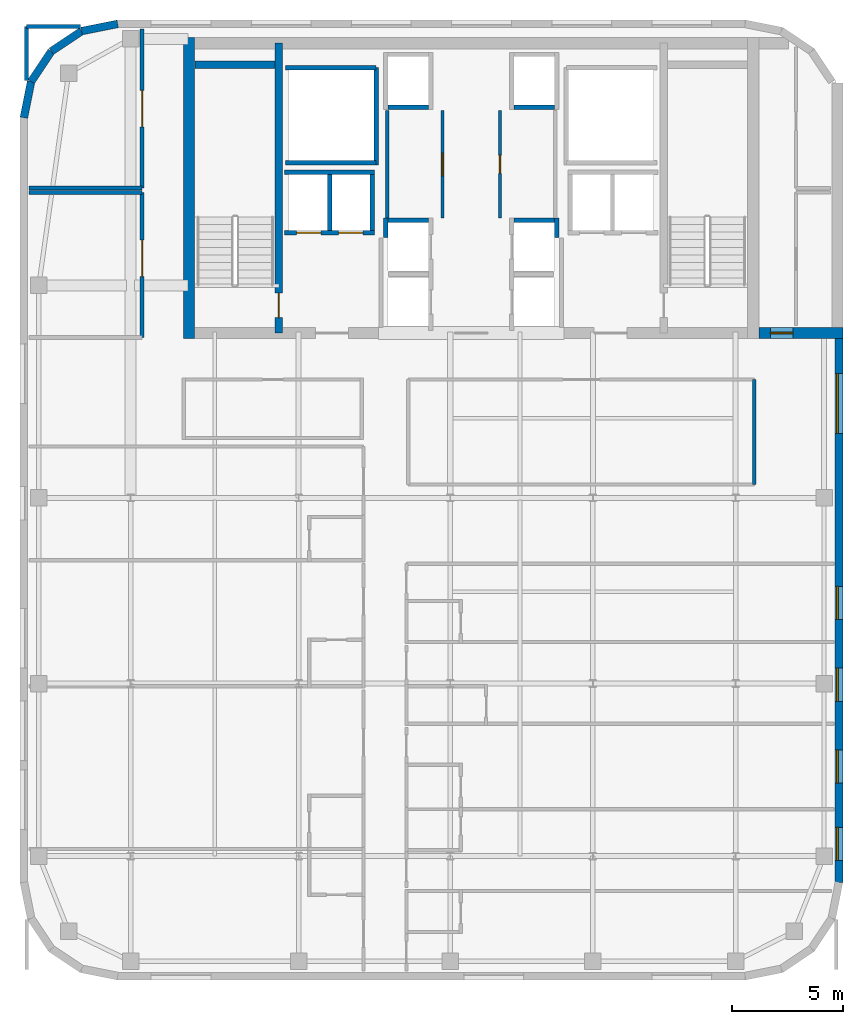
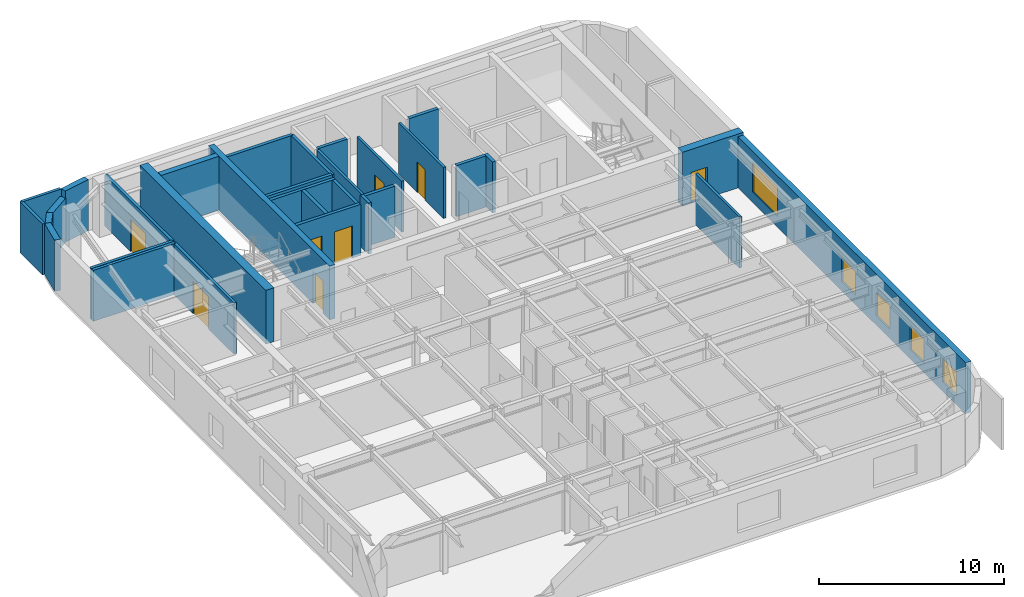
# One storey, part 6 of 9: 32 walls, 8 doors, 5 windows, 13 openings.
"""IFC4 building model written with IfcOpenShell, lengths in metres."""

import ifcopenshell
import ifcopenshell.guid

model = None  # the IFC model being written
_history = None  # IfcOwnerHistory: only IFC2X3 demands one
_inside = {}  # id of a spatial element -> (the spatial element, [elements in it])
_under = {}  # id of a project, library or spatial element -> (it, [spatial elements below it])
_declared = {}  # id of a project -> (the project, [libraries it declares])
_typed = {}  # id of a type object -> (the type object, [elements of that type])
_made_of = {}  # id of a material, layer set ... -> (it, [elements and type objects made of it])


def new_model(schema):
    """Start an empty IFC model of exactly this schema.

    Asked for "IFC4X3", IfcOpenShell would pick the latest addendum, in which some entities
    have other attributes; the version numbers below select the first issue.
    IFC2X3 requires an IfcOwnerHistory on every rooted entity: one is made here for all.
    """
    global model, _history
    if schema == "IFC4X3":
        model = ifcopenshell.file(schema_version=(4, 3, 0, 0))
    else:
        model = ifcopenshell.file(schema=schema)
    _inside.clear()
    _under.clear()
    _declared.clear()
    _typed.clear()
    _made_of.clear()
    _history = None
    if model.schema == "IFC2X3":
        org = make("IfcOrganization", Name="unknown")
        user = make(
            "IfcPersonAndOrganization",
            ThePerson=make("IfcPerson", FamilyName="unknown"),
            TheOrganization=org,
        )
        app = make(
            "IfcApplication",
            ApplicationDeveloper=org,
            Version="unknown",
            ApplicationFullName="unknown",
            ApplicationIdentifier="unknown",
        )
        _history = make(
            "IfcOwnerHistory",
            OwningUser=user,
            OwningApplication=app,
            ChangeAction="ADDED",
            CreationDate=0,
        )
    return model


def make(cls, **values):
    """One entity of the class cls with the attributes given. An attribute that is None is left unset."""
    return model.create_entity(
        cls, **{name: value for name, value in values.items() if value is not None}
    )


def rooted(cls, **values):
    """An entity with a GlobalId (a new one), such as an element, a storey or a relation."""
    return make(cls, GlobalId=ifcopenshell.guid.new(), OwnerHistory=_history, **values)


def si_unit(unit_type, name, prefix=None):
    """IfcSIUnit, for example si_unit("LENGTHUNIT", "METRE", prefix="MILLI")."""
    return make("IfcSIUnit", UnitType=unit_type, Prefix=prefix, Name=name)


def assignment(units):
    """IfcUnitAssignment: the units of a project."""
    return None if units is None else make("IfcUnitAssignment", Units=units)


def point(xyz):
    """IfcCartesianPoint."""
    return None if xyz is None else make("IfcCartesianPoint", Coordinates=xyz)


def direction(xyz):
    """IfcDirection."""
    return None if xyz is None else make("IfcDirection", DirectionRatios=xyz)


def frame(location, z_axis=None, x_axis=None):
    """IfcAxis2Placement3D, a coordinate frame: its origin and axes. An axis left out is left unset."""
    return make(
        "IfcAxis2Placement3D",
        Location=point(location),
        Axis=direction(z_axis),
        RefDirection=direction(x_axis),
    )


def frame_2d(location, x_axis=None):
    """IfcAxis2Placement2D, a coordinate frame in the plane: its origin and x axis."""
    return make(
        "IfcAxis2Placement2D", Location=point(location), RefDirection=direction(x_axis)
    )


def origin():
    """The frame at (0, 0, 0) with its axes left unset."""
    return frame((0.0, 0.0, 0.0))


def place(relative_to, where):
    """IfcLocalPlacement: puts the frame where relative to a parent placement (None: the world)."""
    return make(
        "IfcLocalPlacement", PlacementRelTo=relative_to, RelativePlacement=where
    )


def context(
    kind, dimensions, precision=None, world=None, true_north=None, identifier=None
):
    """IfcGeometricRepresentationContext, for example the 3D "Model" context."""
    return make(
        "IfcGeometricRepresentationContext",
        ContextIdentifier=identifier,
        ContextType=kind,
        CoordinateSpaceDimension=dimensions,
        Precision=precision,
        WorldCoordinateSystem=world,
        TrueNorth=true_north,
    )


def subcontext(parent, identifier, kind, view, scale=None):
    """IfcGeometricRepresentationSubContext, for example "Body" below "Model"."""
    return make(
        "IfcGeometricRepresentationSubContext",
        ContextIdentifier=identifier,
        ContextType=kind,
        ParentContext=parent,
        TargetScale=scale,
        TargetView=view,
    )


def project(units=None, contexts=None):
    """IfcProject with its units and contexts."""
    return rooted(
        "IfcProject",
        Name="project",
        RepresentationContexts=contexts,
        UnitsInContext=assignment(units),
    )


def spatial(cls, under=None, at=None, **own):
    """A site, building, storey or space (cls), placed at a placement, below another one or the project."""
    s = rooted(cls, ObjectPlacement=at, **own)
    if under is not None:
        _under.setdefault(under.id(), (under, []))[1].append(s)
    return s


def profile(cls, at=None, kind="AREA", **sizes):
    """A parametric profile (cls). Its sizes go by their IFC names, for example OverallWidth=200.0."""
    return make(cls, ProfileType=kind, Position=at, **sizes)


def rectangle(**sizes):
    """IfcRectangleProfileDef."""
    return profile("IfcRectangleProfileDef", **sizes)


def extrude(swept, where, along, depth):
    """IfcExtrudedAreaSolid: the profile swept, set in the frame where, extruded along a direction by depth."""
    return make(
        "IfcExtrudedAreaSolid",
        SweptArea=swept,
        Position=where,
        ExtrudedDirection=direction(along),
        Depth=depth,
    )


def shape(context_of_items, identifier, shape_type, items):
    """IfcShapeRepresentation: the items that make up one representation, for example the "Body"."""
    return make(
        "IfcShapeRepresentation",
        ContextOfItems=context_of_items,
        RepresentationIdentifier=identifier,
        RepresentationType=shape_type,
        Items=items,
    )


def source(mapping_origin, context_of_items, identifier, shape_type, items):
    """IfcRepresentationMap: a shape defined once, which mapped items show again and again."""
    return make(
        "IfcRepresentationMap",
        MappingOrigin=mapping_origin,
        MappedRepresentation=shape(context_of_items, identifier, shape_type, items),
    )


def transform(
    local_origin,
    x_axis=None,
    y_axis=None,
    z_axis=None,
    scale=None,
    scale2=None,
    scale3=None,
    uniform=True,
):
    """IfcCartesianTransformationOperator3D, or its non-uniform kind. x_axis, y_axis, z_axis: its Axis1, 2, 3."""
    if uniform:
        return make(
            "IfcCartesianTransformationOperator3D",
            Axis1=direction(x_axis),
            Axis2=direction(y_axis),
            LocalOrigin=point(local_origin),
            Scale=scale,
            Axis3=direction(z_axis),
        )
    return make(
        "IfcCartesianTransformationOperator3DnonUniform",
        Axis1=direction(x_axis),
        Axis2=direction(y_axis),
        LocalOrigin=point(local_origin),
        Scale=scale,
        Axis3=direction(z_axis),
        Scale2=scale2,
        Scale3=scale3,
    )


def mapped(mapping_source, mapping_target):
    """IfcMappedItem: shows the shape of a source again, moved by a transform."""
    return make(
        "IfcMappedItem", MappingSource=mapping_source, MappingTarget=mapping_target
    )


def material(Name=None, Category=None):
    """IfcMaterial."""
    return make("IfcMaterial", Name=Name, Category=Category)


def layer(
    of_material, thickness, ventilated=None, Name=None, Category=None, Priority=None
):
    """IfcMaterialLayer: one layer of a wall or slab, of a material (None: an air gap)."""
    return make(
        "IfcMaterialLayer",
        Material=of_material,
        LayerThickness=thickness,
        IsVentilated=ventilated,
        Name=Name,
        Category=Category,
        Priority=Priority,
    )


def layer_set(layers, Name=None):
    """IfcMaterialLayerSet."""
    return make("IfcMaterialLayerSet", MaterialLayers=layers, LayerSetName=Name)


def made_of(thing, what):
    """Note that an element or type object is made of a material, layer set ...; save() writes the relation."""
    if what is not None:
        _made_of.setdefault(what.id(), (what, []))[1].append(thing)
    return thing


def type_object(cls, material=None, **own):
    """A type object (cls), such as IfcWallType, which elements share."""
    return made_of(rooted(cls, **own), material)


def type_shapes(of_type, sources):
    """Give a type object the sources (RepresentationMaps) that its elements show as mapped items."""
    of_type.RepresentationMaps = sources


def element(
    cls,
    number,
    at=None,
    inside=None,
    cuts=None,
    type_object=None,
    material=None,
    context=None,
    identifier="Body",
    shape_type=None,
    held_by="IfcProductDefinitionShape",
    body=None,
    shapes=None,
    **own,
):
    """One element of the class cls, such as IfcWall. Its Tag is "e" and its number.

    at: its placement. inside: the storey or other place that contains it. cuts: it is an
    opening in that element (IfcRelVoidsElement). A single representation is given by context,
    identifier, shape_type and body (its items); several are given by shapes. held_by: the class
    of the entity that holds the representations. save() writes the other relations.
    """
    e = rooted(cls, Tag="e%d" % number, ObjectPlacement=at, **own)
    if body is not None:
        shapes = [shape(context, identifier, shape_type, body)]
    if shapes is not None:
        e.Representation = make(held_by, Representations=shapes)
    if inside is not None:
        _inside.setdefault(inside.id(), (inside, []))[1].append(e)
    if cuts is not None:
        rooted(
            "IfcRelVoidsElement", RelatingBuildingElement=cuts, RelatedOpeningElement=e
        )
    if type_object is not None:
        _typed.setdefault(type_object.id(), (type_object, []))[1].append(e)
    return made_of(e, material)


def fill(opening, filler):
    """IfcRelFillsElement: the door or window that sits in an opening."""
    return rooted(
        "IfcRelFillsElement",
        RelatingOpeningElement=opening,
        RelatedBuildingElement=filler,
    )


def aggregate(whole, parts):
    """IfcRelAggregates: a whole, such as a stair, and the parts it consists of."""
    return rooted("IfcRelAggregates", RelatingObject=whole, RelatedObjects=parts)


def save(model, path):
    """Write the relations noted so far, then the file.

    IfcRelAggregates (storeys below a building ...), IfcRelContainedInSpatialStructure (elements
    in a storey), IfcRelDefinesByType, IfcRelAssociatesMaterial and IfcRelDeclares: one each for
    every whole, place, type object, material and project.
    """
    for whole, parts in _under.values():
        aggregate(whole, parts)
    for where, things in _inside.values():
        rooted(
            "IfcRelContainedInSpatialStructure",
            RelatedElements=things,
            RelatingStructure=where,
        )
    for kind, things in _typed.values():
        rooted("IfcRelDefinesByType", RelatedObjects=things, RelatingType=kind)
    for what, things in _made_of.values():
        rooted("IfcRelAssociatesMaterial", RelatedObjects=things, RelatingMaterial=what)
    for by, libraries in _declared.values():
        rooted("IfcRelDeclares", RelatingContext=by, RelatedDefinitions=libraries)
    model.write(path)


model = new_model("IFC4")

# Units and contexts
model_context = context("Model", 3, precision=1e-05, world=origin(), true_north=direction((0.0, 1.0)))
body_context = subcontext(model_context, "Body", "Model", "MODEL_VIEW")
ifc_project = project(units=[si_unit("LENGTHUNIT", "METRE"), si_unit("AREAUNIT", "SQUARE_METRE"), si_unit("VOLUMEUNIT", "CUBIC_METRE"), si_unit("PLANEANGLEUNIT", "RADIAN"), si_unit("MASSUNIT", "GRAM", prefix="KILO")], contexts=[model_context])

# Site, building, storey
site_placement = place(None, origin())
site = spatial("IfcSite", under=ifc_project, at=site_placement, CompositionType="ELEMENT")
building_placement = place(site_placement, origin())
building = spatial("IfcBuilding", under=site, at=building_placement, Name="Tolvann Quenvar Hotel", CompositionType="ELEMENT")
storey_placement = place(building_placement, frame((0.0, 0.0, 216.800048828125)))
storey = spatial("IfcBuildingStorey", under=building, at=storey_placement, Name="L57", CompositionType="ELEMENT", Elevation=216.800048828125)

# Wall
ifc_material_1 = material(Name="Concrete N50 (50 MPa)", Category="concrete")
ifc_layer_1 = layer(ifc_material_1, 0.5)
ifc_layer_set_1 = layer_set([ifc_layer_1], Name="Concrete N50 (50 MPa)")
wall_type_1 = type_object("IfcWallType", Name="WALL_CORE_500", PredefinedType="SHEAR", material=ifc_layer_set_1)
wall_1_placement = place(storey_placement, frame((10.25, 31.60009765625, 0.0), z_axis=(0.0, 0.0, 1.0), x_axis=(0.0, 1.0, 0.0)))
element("IfcWall", 1, at=wall_1_placement, inside=storey, type_object=wall_type_1, Name="Rear Core W Shear Wall (L57)", PredefinedType="SHEAR", context=body_context, shape_type="SweptSolid", body=[
    extrude(rectangle(XDim=13.599853515625, YDim=0.5, at=frame_2d((6.7998046875, 0.0))), origin(), (0.0, 0.0, 1.0), 3.550048828125),
])

# Wall, opening, door
wall_2_placement = place(storey_placement, frame((36.0, 31.85009765625, 0.0), z_axis=(0.0, 0.0, 1.0), x_axis=(1.0, 0.0, 0.0)))
wall_2 = element("IfcWall", 2, at=wall_2_placement, inside=storey, type_object=wall_type_1, Name="Core East Annex Shear Wall ANN-S (L57)", PredefinedType="SHEAR", context=body_context, shape_type="SweptSolid", body=[
    extrude(rectangle(XDim=3.800048828125, YDim=0.5, at=frame_2d((1.89990234375, 0.0))), origin(), (0.0, 0.0, 1.0), 3.550048828125),
])
opening_1_placement = place(wall_2_placement, frame((1.5400390625, 0.0, 0.0), z_axis=(0.0, 0.0, 1.0), x_axis=(-1.0, 0.0, 0.0)))
opening_1 = element("IfcOpeningElement", 3, at=opening_1_placement, cuts=wall_2, Name="Opening HD-01", PredefinedType="OPENING", context=body_context, shape_type="SweptSolid", body=[
    extrude(rectangle(XDim=1.02001953125, YDim=2.030029296875, at=frame_2d((0.510009765625, 1.01513671875))), frame((0.0, 0.260009765625, 0.0), z_axis=(0.0, -1.0, 0.0), x_axis=(1.0, 0.0, 0.0)), (0.0, 0.0, 1.0), 0.52001953125),
])
ifc_material_2 = material(Name="Pressed galvanised steel fire-rated door set", Category="steel")
door_type_1 = type_object("IfcDoorType", Name="DOOR_BOH_1020", OperationType="NOTDEFINED", PredefinedType="DOOR", material=ifc_material_2)
shared_shape_1 = source(origin(), body_context, "Body", "SweptSolid", [
    extrude(rectangle(XDim=1.02001953125, YDim=2.030029296875, at=frame_2d((0.510009765625, 1.01513671875))), frame((0.0, 0.02490234375, 0.0), z_axis=(0.0, -1.0, 0.0), x_axis=(1.0, 0.0, 0.0)), (0.0, 0.0, 1.0), 0.050048828125),
])
type_shapes(door_type_1, [shared_shape_1])
door_1_placement = place(opening_1_placement, origin())
door_1 = element("IfcDoor", 4, at=door_1_placement, inside=storey, type_object=door_type_1, Name="Housekeeping Annex Fire Door (L57)", OperationType="SINGLE_SWING_RIGHT", OverallHeight=2.030029296875, OverallWidth=1.02001953125, PredefinedType="DOOR", context=body_context, shape_type="MappedRepresentation", body=[
    mapped(shared_shape_1, transform((0.0, 0.0, 0.0), x_axis=(1.0, 0.0, 0.0), y_axis=(0.0, 1.0, 0.0), z_axis=(0.0, 0.0, 1.0), scale=1.0)),
])
fill(opening_1, door_1)

ifc_material_3 = material(Name="Concrete S65 (65 MPa)", Category="concrete")
ifc_layer_2 = layer(ifc_material_3, 0.35009765625)
ifc_layer_set_2 = layer_set([ifc_layer_2], Name="Concrete S65 (65 MPa)")
wall_type_2 = type_object("IfcWallType", Name="WALL_CORE_INT_350", PredefinedType="SHEAR", material=ifc_layer_set_2)
wall_3_placement = place(storey_placement, frame((14.300048828125, 31.85009765625, 0.0), z_axis=(0.0, 0.0, 1.0), x_axis=(0.0, 1.0, 0.0)))
wall_3 = element("IfcWall", 5, at=wall_3_placement, inside=storey, type_object=wall_type_2, Name="Core Internal Web Shear Wall WEB-W (L57)", PredefinedType="SHEAR", context=body_context, shape_type="SweptSolid", body=[
    extrude(rectangle(XDim=13.099853515625, YDim=0.35009765625, at=frame_2d((6.5498046875, 0.0))), origin(), (0.0, 0.0, 1.0), 3.550048828125),
])
opening_2_placement = place(wall_3_placement, frame((0.699951171875, 0.0, 0.0)))
opening_2 = element("IfcOpeningElement", 6, at=opening_2_placement, cuts=wall_3, Name="Opening FD-120", PredefinedType="OPENING", context=body_context, shape_type="SweptSolid", body=[
    extrude(rectangle(XDim=1.10009765625, YDim=2.1201171875, at=frame_2d((0.550048828125, 1.06005859375))), frame((0.0, 0.18505859375, 0.0), z_axis=(0.0, -1.0, 0.0), x_axis=(1.0, 0.0, 0.0)), (0.0, 0.0, 1.0), 0.3701171875),
])
door_type_2 = type_object("IfcDoorType", Name="DOOR_FIRE_STAIR_1100", OperationType="NOTDEFINED", PredefinedType="DOOR", material=ifc_material_2)
shared_shape_2 = source(origin(), body_context, "Body", "SweptSolid", [
    extrude(rectangle(XDim=1.10009765625, YDim=2.1201171875, at=frame_2d((0.550048828125, 1.06005859375))), frame((0.0, 0.02490234375, 0.0), z_axis=(0.0, -1.0, 0.0), x_axis=(1.0, 0.0, 0.0)), (0.0, 0.0, 1.0), 0.050048828125),
])
type_shapes(door_type_2, [shared_shape_2])
door_2_placement = place(opening_2_placement, origin())
door_2 = element("IfcDoor", 7, at=door_2_placement, inside=storey, type_object=door_type_2, Name="Exit Stair ST-C1 Fire Door (L57)", OperationType="SINGLE_SWING_RIGHT", OverallHeight=2.1201171875, OverallWidth=1.10009765625, PredefinedType="DOOR", context=body_context, shape_type="MappedRepresentation", body=[
    mapped(shared_shape_2, transform((0.0, 0.0, 0.0), x_axis=(1.0, 0.0, 0.0), y_axis=(0.0, 1.0, 0.0), z_axis=(0.0, 0.0, 1.0), scale=1.0)),
])
fill(opening_2, door_2)

# Wall
wall_4_placement = place(storey_placement, frame((10.52001953125, 43.97509765625, 0.0), z_axis=(0.0, 0.0, 1.0), x_axis=(1.0, 0.0, 0.0)))
element("IfcWall", 8, at=wall_4_placement, inside=storey, type_object=wall_type_2, Name="Core Stair North Closing Shear Wall STC1-N (L57)", PredefinedType="SHEAR", context=body_context, shape_type="SweptSolid", body=[
    extrude(rectangle(XDim=3.60009765625, YDim=0.35009765625, at=frame_2d((1.800048828125, 0.0))), origin(), (0.0, 0.0, 1.0), 3.550048828125),
])

# Wall, openings, windows
ifc_material_4 = material(Name="Kiln-fired red and buff architectural clay brickwork and terracotta masonry", Category="masonry")
ifc_layer_3 = layer(ifc_material_4, 0.35009765625)
ifc_layer_set_3 = layer_set([ifc_layer_3], Name="Kiln-fired red and buff architectural clay brickwork and terracotta masonry")
wall_type_3 = type_object("IfcWallType", Name="WALL_EXT_BRICK_350", PredefinedType="SOLIDWALL", material=ifc_layer_set_3)
wall_5_placement = place(storey_placement, frame((39.625, 7.01708984375, 0.0), z_axis=(0.0, 0.0, 1.0), x_axis=(0.0, 1.0, 0.0)))
wall_5 = element("IfcWall", 9, at=wall_5_placement, inside=storey, type_object=wall_type_3, Name="Exterior Chicago Brick Wall L57-E09", PredefinedType="SOLIDWALL", context=body_context, shape_type="SweptSolid", body=[
    extrude(rectangle(XDim=24.578857421875, YDim=0.35009765625, at=frame_2d((12.28955078125, 0.0))), origin(), (0.0, 0.0, 1.0), 3.369873046875),
])
opening_3_placement = place(wall_5_placement, frame((20.291015625, 0.0, 0.679931640625)))
opening_3 = element("IfcOpeningElement", 10, at=opening_3_placement, cuts=wall_5, Name="Opening W-04", PredefinedType="OPENING", context=body_context, shape_type="SweptSolid", body=[
    extrude(rectangle(XDim=2.699951171875, YDim=1.949951171875, at=frame_2d((1.35009765625, 0.97509765625))), frame((0.0, 0.18505859375, 0.0), z_axis=(0.0, -1.0, 0.0), x_axis=(1.0, 0.0, 0.0)), (0.0, 0.0, 1.0), 0.3701171875),
])
opening_4_placement = place(wall_5_placement, frame((0.986083984375, 0.0, 0.6201171875)))
opening_4 = element("IfcOpeningElement", 11, at=opening_4_placement, cuts=wall_5, Name="Opening W-08", PredefinedType="OPENING", context=body_context, shape_type="SweptSolid", body=[
    extrude(rectangle(XDim=1.5, YDim=1.550048828125, at=frame_2d((0.75, 0.77490234375))), frame((0.0, 0.18505859375, 0.0), z_axis=(0.0, -1.0, 0.0), x_axis=(1.0, 0.0, 0.0)), (0.0, 0.0, 1.0), 0.3701171875),
])
opening_5_placement = place(wall_5_placement, frame((4.48291015625, 0.0, 0.6201171875)))
opening_5 = element("IfcOpeningElement", 12, at=opening_5_placement, cuts=wall_5, Name="Opening W-08", PredefinedType="OPENING", context=body_context, shape_type="SweptSolid", body=[
    extrude(rectangle(XDim=1.5, YDim=1.550048828125, at=frame_2d((0.75, 0.77490234375))), frame((0.0, 0.18505859375, 0.0), z_axis=(0.0, -1.0, 0.0), x_axis=(1.0, 0.0, 0.0)), (0.0, 0.0, 1.0), 0.3701171875),
])
opening_6_placement = place(wall_5_placement, frame((8.18310546875, 0.0, 0.6201171875)))
opening_6 = element("IfcOpeningElement", 13, at=opening_6_placement, cuts=wall_5, Name="Opening W-08", PredefinedType="OPENING", context=body_context, shape_type="SweptSolid", body=[
    extrude(rectangle(XDim=1.5, YDim=1.550048828125, at=frame_2d((0.75, 0.77490234375))), frame((0.0, 0.18505859375, 0.0), z_axis=(0.0, -1.0, 0.0), x_axis=(1.0, 0.0, 0.0)), (0.0, 0.0, 1.0), 0.3701171875),
])
opening_7_placement = place(wall_5_placement, frame((11.883056640625, 0.0, 0.6201171875)))
opening_7 = element("IfcOpeningElement", 14, at=opening_7_placement, cuts=wall_5, Name="Opening W-08", PredefinedType="OPENING", context=body_context, shape_type="SweptSolid", body=[
    extrude(rectangle(XDim=1.5, YDim=1.550048828125, at=frame_2d((0.75, 0.77490234375))), frame((0.0, 0.18505859375, 0.0), z_axis=(0.0, -1.0, 0.0), x_axis=(1.0, 0.0, 0.0)), (0.0, 0.0, 1.0), 0.3701171875),
])
ifc_material_5 = material(Name="Thermally broken bronze-anodised aluminium frame with double low-E glazing", Category="aluminium")
window_type_1 = type_object("IfcWindowType", Name="WIN_COR_1500x2050", PartitioningType="SINGLE_PANEL", PredefinedType="WINDOW", material=ifc_material_5)
shared_shape_3 = source(origin(), body_context, "Body", "SweptSolid", [
    extrude(rectangle(XDim=1.5, YDim=1.550048828125, at=frame_2d((0.75, 0.77490234375))), frame((0.0, 0.090087890625, 0.0), z_axis=(0.0, -1.0, 0.0), x_axis=(1.0, 0.0, 0.0)), (0.0, 0.0, 1.0), 0.06005859375),
])
type_shapes(window_type_1, [shared_shape_3])
window_1_placement = place(opening_4_placement, origin())
window_1 = element("IfcWindow", 15, at=window_1_placement, inside=storey, type_object=window_type_1, Name="Chicago Window W-08 (EW-L57-E09-WD02)", OverallHeight=1.550048828125, OverallWidth=1.5, PartitioningType="SINGLE_PANEL", PredefinedType="WINDOW", context=body_context, shape_type="MappedRepresentation", body=[
    mapped(shared_shape_3, transform((0.0, 0.0, 0.0), x_axis=(1.0, 0.0, 0.0), y_axis=(0.0, 1.0, 0.0), z_axis=(0.0, 0.0, 1.0), scale=1.0)),
])
fill(opening_4, window_1)
window_2_placement = place(opening_5_placement, origin())
window_2 = element("IfcWindow", 16, at=window_2_placement, inside=storey, type_object=window_type_1, Name="Chicago Window W-08 (EW-L57-E09-WD03)", OverallHeight=1.550048828125, OverallWidth=1.5, PartitioningType="SINGLE_PANEL", PredefinedType="WINDOW", context=body_context, shape_type="MappedRepresentation", body=[
    mapped(shared_shape_3, transform((0.0, 0.0, 0.0), x_axis=(1.0, 0.0, 0.0), y_axis=(0.0, 1.0, 0.0), z_axis=(0.0, 0.0, 1.0), scale=1.0)),
])
fill(opening_5, window_2)
window_3_placement = place(opening_6_placement, origin())
window_3 = element("IfcWindow", 17, at=window_3_placement, inside=storey, type_object=window_type_1, Name="Chicago Window W-08 (EW-L57-E09-WD04)", OverallHeight=1.550048828125, OverallWidth=1.5, PartitioningType="SINGLE_PANEL", PredefinedType="WINDOW", context=body_context, shape_type="MappedRepresentation", body=[
    mapped(shared_shape_3, transform((0.0, 0.0, 0.0), x_axis=(1.0, 0.0, 0.0), y_axis=(0.0, 1.0, 0.0), z_axis=(0.0, 0.0, 1.0), scale=1.0)),
])
fill(opening_6, window_3)
window_4_placement = place(opening_7_placement, origin())
window_4 = element("IfcWindow", 18, at=window_4_placement, inside=storey, type_object=window_type_1, Name="Chicago Window W-08 (EW-L57-E09-WD05)", OverallHeight=1.550048828125, OverallWidth=1.5, PartitioningType="SINGLE_PANEL", PredefinedType="WINDOW", context=body_context, shape_type="MappedRepresentation", body=[
    mapped(shared_shape_3, transform((0.0, 0.0, 0.0), x_axis=(1.0, 0.0, 0.0), y_axis=(0.0, 1.0, 0.0), z_axis=(0.0, 0.0, 1.0), scale=1.0)),
])
fill(opening_7, window_4)
window_type_2 = type_object("IfcWindowType", Name="WIN_STE_2700x2150", PartitioningType="TRIPLE_PANEL_HORIZONTAL", PredefinedType="WINDOW", material=ifc_material_5)
shared_shape_4 = source(origin(), body_context, "Body", "SweptSolid", [
    extrude(rectangle(XDim=2.699951171875, YDim=1.949951171875, at=frame_2d((1.35009765625, 0.97509765625))), frame((0.0, 0.090087890625, 0.0), z_axis=(0.0, -1.0, 0.0), x_axis=(1.0, 0.0, 0.0)), (0.0, 0.0, 1.0), 0.06005859375),
])
type_shapes(window_type_2, [shared_shape_4])
window_5_placement = place(opening_3_placement, origin())
window_5 = element("IfcWindow", 19, at=window_5_placement, inside=storey, type_object=window_type_2, Name="Chicago Window W-04 (EW-L57-E09-W01)", OverallHeight=1.949951171875, OverallWidth=2.699951171875, PartitioningType="TRIPLE_PANEL_HORIZONTAL", PredefinedType="WINDOW", context=body_context, shape_type="MappedRepresentation", body=[
    mapped(shared_shape_4, transform((0.0, 0.0, 0.0), x_axis=(1.0, 0.0, 0.0), y_axis=(0.0, 1.0, 0.0), z_axis=(0.0, 0.0, 1.0), scale=1.0)),
])
fill(opening_3, window_5)

# Walls
wall_6_placement = place(storey_placement, frame((7.01708984375, 45.824951171875, 0.0), z_axis=(0.0, 0.0, 1.0), x_axis=(-0.980788844421, -0.195072403631, 0.0)))
element("IfcWall", 20, at=wall_6_placement, inside=storey, type_object=wall_type_3, Name="Exterior Chicago Brick Wall L57-E15", PredefinedType="SOLIDWALL", context=body_context, shape_type="SweptSolid", body=[
    extrude(rectangle(XDim=1.66455078125, YDim=0.35009765625, at=frame_2d((0.832275390625, 0.0))), origin(), (0.0, 0.0, 1.0), 3.369873046875),
])
for number, where, z_axis, x_axis, name in (
    (21, (5.384521484375, 45.500244140625, 0.0), (0.0, 0.0, 1.0), (-0.831502623162, -0.555520825599, 0.0), "Exterior Chicago Brick Wall L57-E16"),
    (22, (4.014892578125, 44.585205078125, 0.0), (0.0, 0.0, 1.0), (-0.555623290322, -0.831434158098, 0.0), "Exterior Chicago Brick Wall L57-E17"),
):
    element("IfcWall", number, at=place(storey_placement, frame(where, z_axis=z_axis, x_axis=x_axis)), inside=storey, type_object=wall_type_3, Name=name, PredefinedType="SOLIDWALL", context=body_context, shape_type="SweptSolid", body=[
        extrude(rectangle(XDim=1.647216796875, YDim=0.35009765625, at=frame_2d((0.82373046875, 0.0))), origin(), (0.0, 0.0, 1.0), 2.89990234375),
    ])
wall_7_placement = place(storey_placement, frame((3.099609375, 43.215576171875, 0.0), z_axis=(0.0, 0.0, 1.0), x_axis=(-0.195044345786, -0.980794424524, 0.0)))
element("IfcWall", 23, at=wall_7_placement, inside=storey, type_object=wall_type_3, Name="Exterior Chicago Brick Wall L57-E18", PredefinedType="SOLIDWALL", context=body_context, shape_type="SweptSolid", body=[
    extrude(rectangle(XDim=1.664794921875, YDim=0.35009765625, at=frame_2d((0.83251953125, 0.0))), origin(), (0.0, 0.0, 1.0), 3.369873046875),
])
ifc_material_6 = material(Name="Acoustic twin-stud fire-rated gypsum plasterboard partition")
ifc_layer_4 = layer(ifc_material_6, 0.179931640625)
ifc_layer_set_4 = layer_set([ifc_layer_4], Name="Acoustic twin-stud fire-rated gypsum plasterboard partition")
wall_type_4 = type_object("IfcWallType", Name="WALL_PART_ACOUSTIC_180", PredefinedType="PARTITIONING", material=ifc_layer_set_4)
wall_8_placement = place(storey_placement, frame((3.0048828125, 38.199951171875, 0.0), z_axis=(0.0, 0.0, 1.0), x_axis=(1.0, 0.0, 0.0)))
element("IfcWall", 24, at=wall_8_placement, inside=storey, type_object=wall_type_4, Name="Interior Partition PT-SPC-L57-SAL-N", PredefinedType="PARTITIONING", context=body_context, shape_type="SweptSolid", body=[
    extrude(rectangle(XDim=5.115234375, YDim=0.179931640625, at=frame_2d((2.5576171875, 0.0))), origin(), (0.0, 0.0, 1.0), 3.369873046875),
])

# Wall, opening, door
wall_9_placement = place(storey_placement, frame((8.1201171875, 31.64990234375, 0.0), z_axis=(0.0, 0.0, 1.0), x_axis=(0.0, 1.0, 0.0)))
wall_9 = element("IfcWall", 25, at=wall_9_placement, inside=storey, type_object=wall_type_4, Name="Interior Partition PT-SPC-L57-SAL-E", PredefinedType="PARTITIONING", context=body_context, shape_type="SweptSolid", body=[
    extrude(rectangle(XDim=6.550048828125, YDim=0.179931640625, at=frame_2d((3.27490234375, 0.0))), origin(), (0.0, 0.0, 1.0), 3.369873046875),
])
opening_8_placement = place(wall_9_placement, frame((2.75, 0.0, 0.0)))
opening_8 = element("IfcOpeningElement", 26, at=opening_8_placement, cuts=wall_9, Name="Opening AD-01", PredefinedType="OPENING", context=body_context, shape_type="SweptSolid", body=[
    extrude(rectangle(XDim=1.64990234375, YDim=2.14990234375, at=frame_2d((0.824951171875, 1.074951171875))), frame((0.0, 0.10009765625, 0.0), z_axis=(0.0, -1.0, 0.0), x_axis=(1.0, 0.0, 0.0)), (0.0, 0.0, 1.0), 0.199951171875),
])
ifc_material_7 = material(Name="Solid-core American oak acoustic fire door leaf in steel frame", Category="steel")
door_type_3 = type_object("IfcDoorType", Name="DOOR_SALON_1650", OperationType="NOTDEFINED", PredefinedType="DOOR", material=ifc_material_7)
shared_shape_5 = source(origin(), body_context, "Body", "SweptSolid", [
    extrude(rectangle(XDim=1.64990234375, YDim=2.14990234375, at=frame_2d((0.824951171875, 1.074951171875))), frame((0.0, 0.02490234375, 0.0), z_axis=(0.0, -1.0, 0.0), x_axis=(1.0, 0.0, 0.0)), (0.0, 0.0, 1.0), 0.050048828125),
])
type_shapes(door_type_3, [shared_shape_5])
door_3_placement = place(opening_8_placement, origin())
door_3 = element("IfcDoor", 27, at=door_3_placement, inside=storey, type_object=door_type_3, Name="Interior Door DOOR-SPC-L57-SAL", OperationType="DOUBLE_DOOR_SINGLE_SWING", OverallHeight=2.14990234375, OverallWidth=1.64990234375, PredefinedType="DOOR", context=body_context, shape_type="MappedRepresentation", body=[
    mapped(shared_shape_5, transform((0.0, 0.0, 0.0), x_axis=(1.0, 0.0, 0.0), y_axis=(0.0, 1.0, 0.0), z_axis=(0.0, 0.0, 1.0), scale=1.0)),
])
fill(opening_8, door_3)

# Walls
wall_10_placement = place(storey_placement, frame((3.0048828125, 38.39990234375, 0.0), z_axis=(0.0, 0.0, 1.0), x_axis=(1.0, 0.0, 0.0)))
element("IfcWall", 28, at=wall_10_placement, inside=storey, type_object=wall_type_4, Name="Interior Partition PT-SPC-L57-STD-S", PredefinedType="PARTITIONING", context=body_context, shape_type="SweptSolid", body=[
    extrude(rectangle(XDim=5.115234375, YDim=0.179931640625, at=frame_2d((2.5576171875, 0.0))), origin(), (0.0, 0.0, 1.0), 3.369873046875),
])
for number, where, z_axis, x_axis, name in (
    (29, (2.89990234375, 45.699951171875, 0.0), (0.0, 0.0, 1.0), (1.0, 0.0, 0.0), "Interior Partition PT-SPC-L57-STD-N"),
    (30, (2.89990234375, 43.2548828125, 0.0), (0.0, 0.0, 1.0), (0.0, 1.0, 0.0), "Interior Partition PT-SPC-L57-STD-W"),
):
    element("IfcWall", number, at=place(storey_placement, frame(where, z_axis=z_axis, x_axis=x_axis)), inside=storey, type_object=wall_type_4, Name=name, PredefinedType="PARTITIONING", context=body_context, shape_type="SweptSolid", body=[
        extrude(rectangle(XDim=2.445068359375, YDim=0.179931640625, at=frame_2d((1.22265625, 0.0))), origin(), (0.0, 0.0, 1.0), 3.369873046875),
    ])

# Wall, opening, door
wall_11_placement = place(storey_placement, frame((8.1201171875, 38.39990234375, 0.0), z_axis=(0.0, 0.0, 1.0), x_axis=(0.0, 1.0, 0.0)))
wall_11 = element("IfcWall", 31, at=wall_11_placement, inside=storey, type_object=wall_type_4, Name="Interior Partition PT-SPC-L57-STD-E", PredefinedType="PARTITIONING", context=body_context, shape_type="SweptSolid", body=[
    extrude(rectangle(XDim=7.195068359375, YDim=0.179931640625, at=frame_2d((3.59765625, 0.0))), origin(), (0.0, 0.0, 1.0), 3.369873046875),
])
opening_9_placement = place(wall_11_placement, frame((2.7724609375, 0.0, 0.0)))
opening_9 = element("IfcOpeningElement", 32, at=opening_9_placement, cuts=wall_11, Name="Opening AD-01", PredefinedType="OPENING", context=body_context, shape_type="SweptSolid", body=[
    extrude(rectangle(XDim=1.64990234375, YDim=2.14990234375, at=frame_2d((0.824951171875, 1.074951171875))), frame((0.0, 0.10009765625, 0.0), z_axis=(0.0, -1.0, 0.0), x_axis=(1.0, 0.0, 0.0)), (0.0, 0.0, 1.0), 0.199951171875),
])
door_4_placement = place(opening_9_placement, origin())
door_4 = element("IfcDoor", 33, at=door_4_placement, inside=storey, type_object=door_type_3, Name="Interior Door DOOR-SPC-L57-STD", OperationType="DOUBLE_DOOR_SINGLE_SWING", OverallHeight=2.14990234375, OverallWidth=1.64990234375, PredefinedType="DOOR", context=body_context, shape_type="MappedRepresentation", body=[
    mapped(shared_shape_5, transform((0.0, 0.0, 0.0), x_axis=(1.0, 0.0, 0.0), y_axis=(0.0, 1.0, 0.0), z_axis=(0.0, 0.0, 1.0), scale=1.0)),
])
fill(opening_9, door_4)

ifc_layer_5 = layer(ifc_material_6, 0.14990234375)
ifc_layer_set_5 = layer_set([ifc_layer_5], Name="Acoustic twin-stud fire-rated gypsum plasterboard partition")
wall_type_5 = type_object("IfcWallType", Name="WALL_PART_SUITE_150", PredefinedType="PARTITIONING", material=ifc_layer_set_5)
wall_12_placement = place(storey_placement, frame((21.699951171875, 37.050048828125, 0.0), z_axis=(0.0, 0.0, 1.0), x_axis=(0.0, 1.0, 0.0)))
wall_12 = element("IfcWall", 34, at=wall_12_placement, inside=storey, type_object=wall_type_5, Name="Interior Partition PT-SPC-L57-RECPM-1-ENT", PredefinedType="PARTITIONING", context=body_context, shape_type="SweptSolid", body=[
    extrude(rectangle(XDim=4.849853515625, YDim=0.14990234375, at=frame_2d((2.4248046875, 0.0))), origin(), (0.0, 0.0, 1.0), 3.369873046875),
])
opening_10_placement = place(wall_12_placement, frame((1.9150390625, 0.0, 0.0)))
opening_10 = element("IfcOpeningElement", 35, at=opening_10_placement, cuts=wall_12, Name="Opening HD-01", PredefinedType="OPENING", context=body_context, shape_type="SweptSolid", body=[
    extrude(rectangle(XDim=1.02001953125, YDim=2.030029296875, at=frame_2d((0.510009765625, 1.01513671875))), frame((0.0, 0.0849609375, 0.0), z_axis=(0.0, -1.0, 0.0), x_axis=(1.0, 0.0, 0.0)), (0.0, 0.0, 1.0), 0.169921875),
])
door_5_placement = place(opening_10_placement, origin())
door_5 = element("IfcDoor", 36, at=door_5_placement, inside=storey, type_object=door_type_1, Name="Interior Door DOOR-SPC-L57-RECPM-1", OperationType="SINGLE_SWING_LEFT", OverallHeight=2.030029296875, OverallWidth=1.02001953125, PredefinedType="DOOR", context=body_context, shape_type="MappedRepresentation", body=[
    mapped(shared_shape_1, transform((0.0, 0.0, 0.0), x_axis=(1.0, 0.0, 0.0), y_axis=(0.0, 1.0, 0.0), z_axis=(0.0, 0.0, 1.0), scale=1.0)),
])
fill(opening_10, door_5)

# Wall
wall_13_placement = place(storey_placement, frame((19.199951171875, 37.0400390625, 0.0), z_axis=(0.0, 0.0, 1.0), x_axis=(0.0, 1.0, 0.0)))
element("IfcWall", 37, at=wall_13_placement, inside=storey, type_object=wall_type_5, Name="Interior Partition PT-SPC-L57-RECPM-1-W", PredefinedType="PARTITIONING", context=body_context, shape_type="SweptSolid", body=[
    extrude(rectangle(XDim=4.85986328125, YDim=0.14990234375, at=frame_2d((2.429931640625, 0.0))), origin(), (0.0, 0.0, 1.0), 3.369873046875),
])

# Wall, opening, door
wall_14_placement = place(storey_placement, frame((24.300048828125, 37.050048828125, 0.0), z_axis=(0.0, 0.0, 1.0), x_axis=(0.0, 1.0, 0.0)))
wall_14 = element("IfcWall", 38, at=wall_14_placement, inside=storey, type_object=wall_type_5, Name="Interior Partition PT-SPC-L57-RECPM-2-ENT", PredefinedType="PARTITIONING", context=body_context, shape_type="SweptSolid", body=[
    extrude(rectangle(XDim=4.849853515625, YDim=0.14990234375, at=frame_2d((2.4248046875, 0.0))), origin(), (0.0, 0.0, 1.0), 3.369873046875),
])
opening_11_placement = place(wall_14_placement, frame((2.014892578125, 0.0, 0.0)))
opening_11 = element("IfcOpeningElement", 39, at=opening_11_placement, cuts=wall_14, Name="Opening HD-02", PredefinedType="OPENING", context=body_context, shape_type="SweptSolid", body=[
    extrude(rectangle(XDim=0.820068359375, YDim=2.010009765625, at=frame_2d((0.41015625, 1.0048828125))), frame((0.0, 0.0849609375, 0.0), z_axis=(0.0, -1.0, 0.0), x_axis=(1.0, 0.0, 0.0)), (0.0, 0.0, 1.0), 0.169921875),
])
door_type_4 = type_object("IfcDoorType", Name="DOOR_STORE_820", OperationType="NOTDEFINED", PredefinedType="DOOR", material=ifc_material_2)
shared_shape_6 = source(origin(), body_context, "Body", "SweptSolid", [
    extrude(rectangle(XDim=0.820068359375, YDim=2.010009765625, at=frame_2d((0.41015625, 1.0048828125))), frame((0.0, 0.02490234375, 0.0), z_axis=(0.0, -1.0, 0.0), x_axis=(1.0, 0.0, 0.0)), (0.0, 0.0, 1.0), 0.050048828125),
])
type_shapes(door_type_4, [shared_shape_6])
door_6_placement = place(opening_11_placement, origin())
door_6 = element("IfcDoor", 40, at=door_6_placement, inside=storey, type_object=door_type_4, Name="Interior Door DOOR-SPC-L57-RECPM-2", OperationType="SINGLE_SWING_RIGHT", OverallHeight=2.010009765625, OverallWidth=0.820068359375, PredefinedType="DOOR", context=body_context, shape_type="MappedRepresentation", body=[
    mapped(shared_shape_6, transform((0.0, 0.0, 0.0), x_axis=(1.0, 0.0, 0.0), y_axis=(0.0, 1.0, 0.0), z_axis=(0.0, 0.0, 1.0), scale=1.0)),
])
fill(opening_11, door_6)

# Walls
wall_15_placement = place(storey_placement, frame((35.800048828125, 25.0, 0.0), z_axis=(0.0, 0.0, 1.0), x_axis=(0.0, 1.0, 0.0)))
element("IfcWall", 41, at=wall_15_placement, inside=storey, type_object=wall_type_5, Name="Interior Partition PT-SPC-L57-LOUNGE-E", PredefinedType="PARTITIONING", context=body_context, shape_type="SweptSolid", body=[
    extrude(rectangle(XDim=4.75, YDim=0.14990234375, at=frame_2d((2.375, 0.0))), origin(), (0.0, 0.0, 1.0), 3.369873046875),
])
ifc_material_8 = material(Name="Concrete N40 (40 MPa)", Category="concrete")
ifc_layer_6 = layer(ifc_material_8, 0.199951171875)
ifc_layer_set_6 = layer_set([ifc_layer_6], Name="Concrete N40 (40 MPa)")
wall_type_6 = type_object("IfcWallType", Name="WALL_SHAFT_200", PredefinedType="SOLIDWALL", material=ifc_layer_set_6)
wall_16_placement = place(storey_placement, frame((18.699951171875, 39.449951171875, 0.0), z_axis=(0.0, 0.0, 1.0), x_axis=(0.0, 1.0, 0.0)))
element("IfcWall", 42, at=wall_16_placement, inside=storey, type_object=wall_type_6, Name="Service Riser W Shaft Wall IN (L57)", PredefinedType="SOLIDWALL", context=body_context, shape_type="SweptSolid", body=[
    extrude(rectangle(XDim=4.400146484375, YDim=0.199951171875, at=frame_2d((2.2001953125, 0.0))), origin(), (0.0, 0.0, 1.0), 3.369873046875),
])
for number, where, z_axis, x_axis, name in (
    (43, (14.60009765625, 39.550048828125, 0.0), (0.0, 0.0, 1.0), (1.0, 0.0, 0.0), "Service Riser W Shaft Wall S (L57)"),
    (44, (14.60009765625, 43.85009765625, 0.0), (0.0, 0.0, 1.0), (1.0, 0.0, 0.0), "Service Riser W Shaft Wall N (L57)"),
):
    element("IfcWall", number, at=place(storey_placement, frame(where, z_axis=z_axis, x_axis=x_axis)), inside=storey, type_object=wall_type_6, Name=name, PredefinedType="SOLIDWALL", context=body_context, shape_type="SweptSolid", body=[
        extrude(rectangle(XDim=4.099853515625, YDim=0.199951171875, at=frame_2d((2.0498046875, 0.0))), origin(), (0.0, 0.0, 1.0), 3.369873046875),
    ])
wall_17_placement = place(storey_placement, frame((19.1298828125, 36.159912109375, 0.0), z_axis=(0.0, 0.0, 1.0), x_axis=(0.0, 1.0, 0.0)))
element("IfcWall", 45, at=wall_17_placement, inside=storey, type_object=wall_type_6, Name="Lift Bank E21.1C1 Hoistway Rear Wall (L57)", PredefinedType="SOLIDWALL", context=body_context, shape_type="SweptSolid", body=[
    extrude(rectangle(XDim=0.880126953125, YDim=0.199951171875, at=frame_2d((0.43994140625, 0.0))), origin(), (0.0, 0.0, 1.0), 3.369873046875),
])
for number, where, z_axis, x_axis, name in (
    (46, (19.22998046875, 36.93994140625, 0.0), (0.0, 0.0, 1.0), (1.0, 0.0, 0.0), "Lift Bank E21.1C1 Hoistway Cheek Wall 2 (L57)"),
    (47, (19.22998046875, 42.06005859375, 0.0), (0.0, 0.0, 1.0), (1.0, 0.0, 0.0), "Lift Bank E21.1C2 Hoistway Cheek Wall 1 (L57)"),
):
    element("IfcWall", number, at=place(storey_placement, frame(where, z_axis=z_axis, x_axis=x_axis)), inside=storey, type_object=wall_type_6, Name=name, PredefinedType="SOLIDWALL", context=body_context, shape_type="SweptSolid", body=[
        extrude(rectangle(XDim=1.840087890625, YDim=0.199951171875, at=frame_2d((0.919921875, 0.0))), origin(), (0.0, 0.0, 1.0), 3.369873046875),
    ])

# Wall, openings, doors
wall_18_placement = place(storey_placement, frame((14.550048828125, 36.3798828125, 0.0), z_axis=(0.0, 0.0, 1.0), x_axis=(1.0, 0.0, 0.0)))
wall_18 = element("IfcWall", 48, at=wall_18_placement, inside=storey, type_object=wall_type_6, Name="Lift Bank SWC1 Hoistway Front Wall (L57)", PredefinedType="SOLIDWALL", context=body_context, shape_type="SweptSolid", body=[
    extrude(rectangle(XDim=4.074951171875, YDim=0.199951171875, at=frame_2d((2.03759765625, 0.0))), origin(), (0.0, 0.0, 1.0), 3.369873046875),
])
opening_12_placement = place(wall_18_placement, frame((0.550048828125, 0.0, 0.0)))
opening_12 = element("IfcOpeningElement", 49, at=opening_12_placement, cuts=wall_18, Name="Opening LD-01", PredefinedType="OPENING", context=body_context, shape_type="SweptSolid", body=[
    extrude(rectangle(XDim=1.10009765625, YDim=2.1201171875, at=frame_2d((0.550048828125, 1.06005859375))), frame((0.0, 0.10986328125, 0.0), z_axis=(0.0, -1.0, 0.0), x_axis=(1.0, 0.0, 0.0)), (0.0, 0.0, 1.0), 0.219970703125),
])
opening_13_placement = place(wall_18_placement, frame((2.449951171875, 0.0, 0.0)))
opening_13 = element("IfcOpeningElement", 50, at=opening_13_placement, cuts=wall_18, Name="Opening LD-01", PredefinedType="OPENING", context=body_context, shape_type="SweptSolid", body=[
    extrude(rectangle(XDim=1.10009765625, YDim=2.1201171875, at=frame_2d((0.550048828125, 1.06005859375))), frame((0.0, 0.10986328125, 0.0), z_axis=(0.0, -1.0, 0.0), x_axis=(1.0, 0.0, 0.0)), (0.0, 0.0, 1.0), 0.219970703125),
])
ifc_material_9 = material(Name="Brushed 316 stainless steel automatic sliding lift landing door", Category="steel")
door_type_5 = type_object("IfcDoorType", Name="DOOR_LIFT_SLIDE_1100", OperationType="NOTDEFINED", PredefinedType="DOOR", material=ifc_material_9)
shared_shape_7 = source(origin(), body_context, "Body", "SweptSolid", [
    extrude(rectangle(XDim=1.10009765625, YDim=2.1201171875, at=frame_2d((0.550048828125, 1.06005859375))), frame((0.0, 0.02490234375, 0.0), z_axis=(0.0, -1.0, 0.0), x_axis=(1.0, 0.0, 0.0)), (0.0, 0.0, 1.0), 0.050048828125),
])
type_shapes(door_type_5, [shared_shape_7])
door_7_placement = place(opening_12_placement, origin())
door_7 = element("IfcDoor", 51, at=door_7_placement, inside=storey, type_object=door_type_5, Name="Lift FF-1 Sliding Landing Door (L57)", OperationType="SLIDING_TO_LEFT", OverallHeight=2.1201171875, OverallWidth=1.10009765625, PredefinedType="DOOR", context=body_context, shape_type="MappedRepresentation", body=[
    mapped(shared_shape_7, transform((0.0, 0.0, 0.0), x_axis=(1.0, 0.0, 0.0), y_axis=(0.0, 1.0, 0.0), z_axis=(0.0, 0.0, 1.0), scale=1.0)),
])
fill(opening_12, door_7)
door_8_placement = place(opening_13_placement, origin())
door_8 = element("IfcDoor", 52, at=door_8_placement, inside=storey, type_object=door_type_5, Name="Lift SV-1 Sliding Landing Door (L57)", OperationType="SLIDING_TO_RIGHT", OverallHeight=2.1201171875, OverallWidth=1.10009765625, PredefinedType="DOOR", context=body_context, shape_type="MappedRepresentation", body=[
    mapped(shared_shape_7, transform((0.0, 0.0, 0.0), x_axis=(1.0, 0.0, 0.0), y_axis=(0.0, 1.0, 0.0), z_axis=(0.0, 0.0, 1.0), scale=1.0)),
])
fill(opening_13, door_8)

# Walls
wall_19_placement = place(storey_placement, frame((14.550048828125, 39.1201171875, 0.0), z_axis=(0.0, 0.0, 1.0), x_axis=(1.0, 0.0, 0.0)))
element("IfcWall", 53, at=wall_19_placement, inside=storey, type_object=wall_type_6, Name="Lift Bank SWC1 Hoistway Rear Wall (L57)", PredefinedType="SOLIDWALL", context=body_context, shape_type="SweptSolid", body=[
    extrude(rectangle(XDim=4.074951171875, YDim=0.199951171875, at=frame_2d((2.03759765625, 0.0))), origin(), (0.0, 0.0, 1.0), 3.369873046875),
])
for number, where, z_axis, x_axis, name in (
    (54, (18.52490234375, 36.47998046875, 0.0), (0.0, 0.0, 1.0), (0.0, 1.0, 0.0), "Lift Bank SWC1 Hoistway Cheek Wall 2 (L57)"),
    (55, (16.612548828125, 36.47998046875, 0.0), (0.0, 0.0, 1.0), (0.0, 1.0, 0.0), "Lift Bank SWC1 Divider Wall 1 (L57)"),
):
    element("IfcWall", number, at=place(storey_placement, frame(where, z_axis=z_axis, x_axis=x_axis)), inside=storey, type_object=wall_type_6, Name=name, PredefinedType="SOLIDWALL", context=body_context, shape_type="SweptSolid", body=[
        extrude(rectangle(XDim=2.5400390625, YDim=0.199951171875, at=frame_2d((1.27001953125, 0.0))), origin(), (0.0, 0.0, 1.0), 3.369873046875),
    ])
wall_20_placement = place(storey_placement, frame((26.8701171875, 36.159912109375, 0.0), z_axis=(0.0, 0.0, 1.0), x_axis=(0.0, 1.0, 0.0)))
element("IfcWall", 56, at=wall_20_placement, inside=storey, type_object=wall_type_6, Name="Lift Bank W24.9C1 Hoistway Rear Wall (L57)", PredefinedType="SOLIDWALL", context=body_context, shape_type="SweptSolid", body=[
    extrude(rectangle(XDim=0.880126953125, YDim=0.199951171875, at=frame_2d((0.43994140625, 0.0))), origin(), (0.0, 0.0, 1.0), 3.369873046875),
])
for number, where, z_axis, x_axis, name in (
    (57, (24.929931640625, 36.93994140625, 0.0), (0.0, 0.0, 1.0), (1.0, 0.0, 0.0), "Lift Bank W24.9C1 Hoistway Cheek Wall 2 (L57)"),
    (58, (24.929931640625, 42.06005859375, 0.0), (0.0, 0.0, 1.0), (1.0, 0.0, 0.0), "Lift Bank W24.9C2 Hoistway Cheek Wall 1 (L57)"),
):
    element("IfcWall", number, at=place(storey_placement, frame(where, z_axis=z_axis, x_axis=x_axis)), inside=storey, type_object=wall_type_6, Name=name, PredefinedType="SOLIDWALL", context=body_context, shape_type="SweptSolid", body=[
        extrude(rectangle(XDim=1.840087890625, YDim=0.199951171875, at=frame_2d((0.919921875, 0.0))), origin(), (0.0, 0.0, 1.0), 3.369873046875),
    ])

save(model, "model.ifc")
